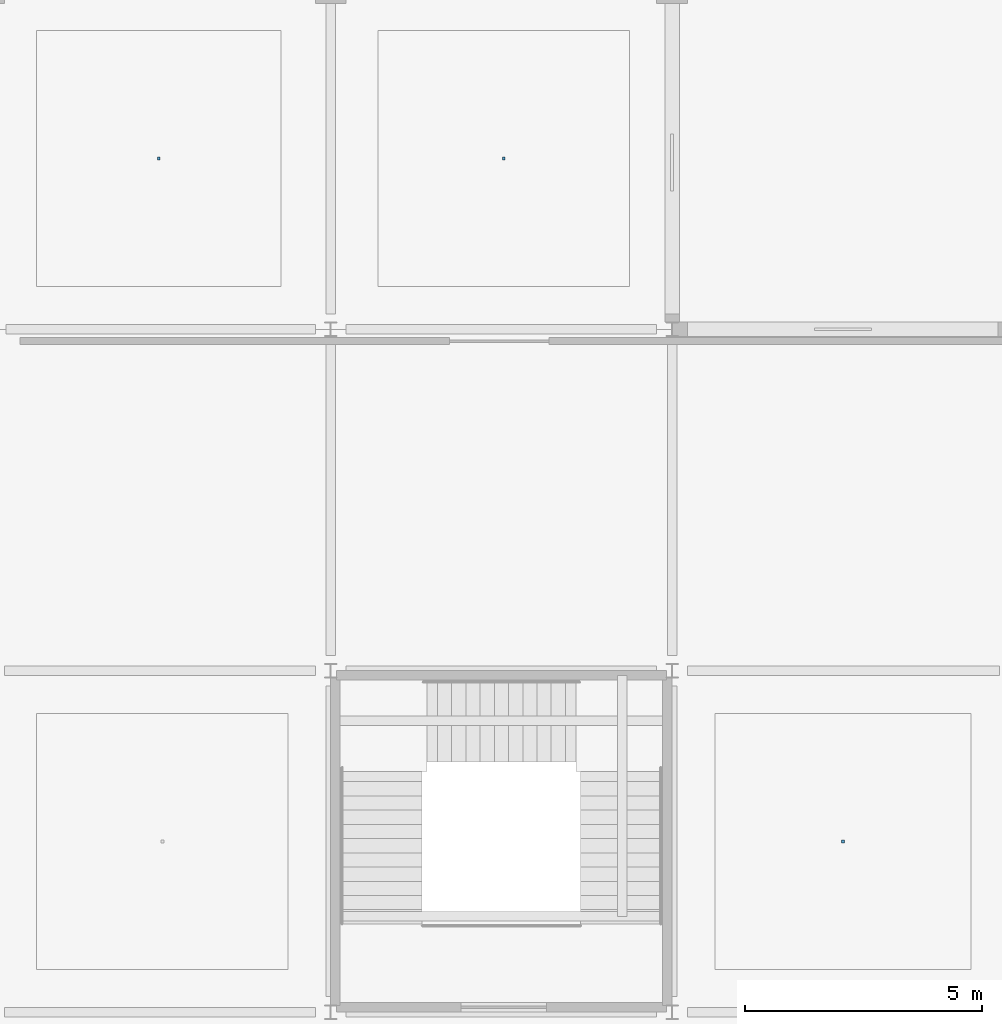
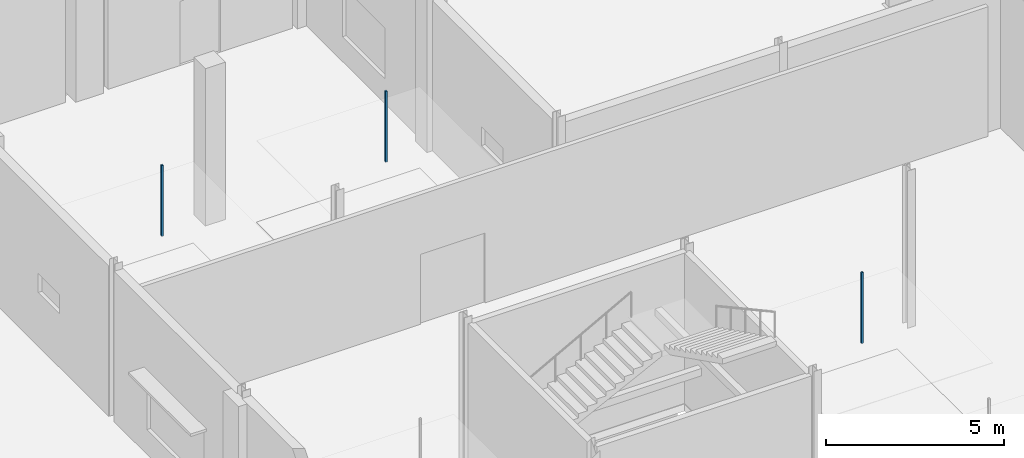
# One storey, part 70 of 90: 3 discrete accessories.
"""IFC4 building model written with IfcOpenShell, lengths in metres."""

import ifcopenshell
import ifcopenshell.guid

model = None  # the IFC model being written
_history = None  # IfcOwnerHistory: only IFC2X3 demands one
_inside = {}  # id of a spatial element -> (the spatial element, [elements in it])
_under = {}  # id of a project, library or spatial element -> (it, [spatial elements below it])
_declared = {}  # id of a project -> (the project, [libraries it declares])
_typed = {}  # id of a type object -> (the type object, [elements of that type])
_made_of = {}  # id of a material, layer set ... -> (it, [elements and type objects made of it])


def new_model(schema):
    """Start an empty IFC model of exactly this schema.

    Asked for "IFC4X3", IfcOpenShell would pick the latest addendum, in which some entities
    have other attributes; the version numbers below select the first issue.
    IFC2X3 requires an IfcOwnerHistory on every rooted entity: one is made here for all.
    """
    global model, _history
    if schema == "IFC4X3":
        model = ifcopenshell.file(schema_version=(4, 3, 0, 0))
    else:
        model = ifcopenshell.file(schema=schema)
    _inside.clear()
    _under.clear()
    _declared.clear()
    _typed.clear()
    _made_of.clear()
    _history = None
    if model.schema == "IFC2X3":
        org = make("IfcOrganization", Name="unknown")
        user = make(
            "IfcPersonAndOrganization",
            ThePerson=make("IfcPerson", FamilyName="unknown"),
            TheOrganization=org,
        )
        app = make(
            "IfcApplication",
            ApplicationDeveloper=org,
            Version="unknown",
            ApplicationFullName="unknown",
            ApplicationIdentifier="unknown",
        )
        _history = make(
            "IfcOwnerHistory",
            OwningUser=user,
            OwningApplication=app,
            ChangeAction="ADDED",
            CreationDate=0,
        )
    return model


def make(cls, **values):
    """One entity of the class cls with the attributes given. An attribute that is None is left unset."""
    return model.create_entity(
        cls, **{name: value for name, value in values.items() if value is not None}
    )


def rooted(cls, **values):
    """An entity with a GlobalId (a new one), such as an element, a storey or a relation."""
    return make(cls, GlobalId=ifcopenshell.guid.new(), OwnerHistory=_history, **values)


def si_unit(unit_type, name, prefix=None):
    """IfcSIUnit, for example si_unit("LENGTHUNIT", "METRE", prefix="MILLI")."""
    return make("IfcSIUnit", UnitType=unit_type, Prefix=prefix, Name=name)


def assignment(units):
    """IfcUnitAssignment: the units of a project."""
    return None if units is None else make("IfcUnitAssignment", Units=units)


def point(xyz):
    """IfcCartesianPoint."""
    return None if xyz is None else make("IfcCartesianPoint", Coordinates=xyz)


def direction(xyz):
    """IfcDirection."""
    return None if xyz is None else make("IfcDirection", DirectionRatios=xyz)


def frame(location, z_axis=None, x_axis=None):
    """IfcAxis2Placement3D, a coordinate frame: its origin and axes. An axis left out is left unset."""
    return make(
        "IfcAxis2Placement3D",
        Location=point(location),
        Axis=direction(z_axis),
        RefDirection=direction(x_axis),
    )


def frame_2d(location, x_axis=None):
    """IfcAxis2Placement2D, a coordinate frame in the plane: its origin and x axis."""
    return make(
        "IfcAxis2Placement2D", Location=point(location), RefDirection=direction(x_axis)
    )


def origin():
    """The frame at (0, 0, 0) with its axes left unset."""
    return frame((0.0, 0.0, 0.0))


def origin_2d():
    """The frame at (0, 0) in the plane with its x axis left unset."""
    return frame_2d((0.0, 0.0))


def place(relative_to, where):
    """IfcLocalPlacement: puts the frame where relative to a parent placement (None: the world)."""
    return make(
        "IfcLocalPlacement", PlacementRelTo=relative_to, RelativePlacement=where
    )


def context(
    kind, dimensions, precision=None, world=None, true_north=None, identifier=None
):
    """IfcGeometricRepresentationContext, for example the 3D "Model" context."""
    return make(
        "IfcGeometricRepresentationContext",
        ContextIdentifier=identifier,
        ContextType=kind,
        CoordinateSpaceDimension=dimensions,
        Precision=precision,
        WorldCoordinateSystem=world,
        TrueNorth=true_north,
    )


def subcontext(parent, identifier, kind, view, scale=None):
    """IfcGeometricRepresentationSubContext, for example "Body" below "Model"."""
    return make(
        "IfcGeometricRepresentationSubContext",
        ContextIdentifier=identifier,
        ContextType=kind,
        ParentContext=parent,
        TargetScale=scale,
        TargetView=view,
    )


def project(units=None, contexts=None):
    """IfcProject with its units and contexts."""
    return rooted(
        "IfcProject",
        Name="project",
        RepresentationContexts=contexts,
        UnitsInContext=assignment(units),
    )


def spatial(cls, under=None, at=None, **own):
    """A site, building, storey or space (cls), placed at a placement, below another one or the project."""
    s = rooted(cls, ObjectPlacement=at, **own)
    if under is not None:
        _under.setdefault(under.id(), (under, []))[1].append(s)
    return s


def profile(cls, at=None, kind="AREA", **sizes):
    """A parametric profile (cls). Its sizes go by their IFC names, for example OverallWidth=200.0."""
    return make(cls, ProfileType=kind, Position=at, **sizes)


def rectangle(**sizes):
    """IfcRectangleProfileDef."""
    return profile("IfcRectangleProfileDef", **sizes)


def extrude(swept, where, along, depth):
    """IfcExtrudedAreaSolid: the profile swept, set in the frame where, extruded along a direction by depth."""
    return make(
        "IfcExtrudedAreaSolid",
        SweptArea=swept,
        Position=where,
        ExtrudedDirection=direction(along),
        Depth=depth,
    )


def shape(context_of_items, identifier, shape_type, items):
    """IfcShapeRepresentation: the items that make up one representation, for example the "Body"."""
    return make(
        "IfcShapeRepresentation",
        ContextOfItems=context_of_items,
        RepresentationIdentifier=identifier,
        RepresentationType=shape_type,
        Items=items,
    )


def material(Name=None, Category=None):
    """IfcMaterial."""
    return make("IfcMaterial", Name=Name, Category=Category)


def made_of(thing, what):
    """Note that an element or type object is made of a material, layer set ...; save() writes the relation."""
    if what is not None:
        _made_of.setdefault(what.id(), (what, []))[1].append(thing)
    return thing


def type_object(cls, material=None, **own):
    """A type object (cls), such as IfcWallType, which elements share."""
    return made_of(rooted(cls, **own), material)


def element(
    cls,
    number,
    at=None,
    inside=None,
    cuts=None,
    type_object=None,
    material=None,
    context=None,
    identifier="Body",
    shape_type=None,
    held_by="IfcProductDefinitionShape",
    body=None,
    shapes=None,
    **own,
):
    """One element of the class cls, such as IfcWall. Its Tag is "e" and its number.

    at: its placement. inside: the storey or other place that contains it. cuts: it is an
    opening in that element (IfcRelVoidsElement). A single representation is given by context,
    identifier, shape_type and body (its items); several are given by shapes. held_by: the class
    of the entity that holds the representations. save() writes the other relations.
    """
    e = rooted(cls, Tag="e%d" % number, ObjectPlacement=at, **own)
    if body is not None:
        shapes = [shape(context, identifier, shape_type, body)]
    if shapes is not None:
        e.Representation = make(held_by, Representations=shapes)
    if inside is not None:
        _inside.setdefault(inside.id(), (inside, []))[1].append(e)
    if cuts is not None:
        rooted(
            "IfcRelVoidsElement", RelatingBuildingElement=cuts, RelatedOpeningElement=e
        )
    if type_object is not None:
        _typed.setdefault(type_object.id(), (type_object, []))[1].append(e)
    return made_of(e, material)


def aggregate(whole, parts):
    """IfcRelAggregates: a whole, such as a stair, and the parts it consists of."""
    return rooted("IfcRelAggregates", RelatingObject=whole, RelatedObjects=parts)


def save(model, path):
    """Write the relations noted so far, then the file.

    IfcRelAggregates (storeys below a building ...), IfcRelContainedInSpatialStructure (elements
    in a storey), IfcRelDefinesByType, IfcRelAssociatesMaterial and IfcRelDeclares: one each for
    every whole, place, type object, material and project.
    """
    for whole, parts in _under.values():
        aggregate(whole, parts)
    for where, things in _inside.values():
        rooted(
            "IfcRelContainedInSpatialStructure",
            RelatedElements=things,
            RelatingStructure=where,
        )
    for kind, things in _typed.values():
        rooted("IfcRelDefinesByType", RelatedObjects=things, RelatingType=kind)
    for what, things in _made_of.values():
        rooted("IfcRelAssociatesMaterial", RelatedObjects=things, RelatingMaterial=what)
    for by, libraries in _declared.values():
        rooted("IfcRelDeclares", RelatingContext=by, RelatedDefinitions=libraries)
    model.write(path)


model = new_model("IFC4")

# Units and contexts
model_context = context("Model", 3, precision=1e-05, world=origin(), true_north=direction((0.0, 1.0)))
body_context = subcontext(model_context, "Body", "Model", "MODEL_VIEW")
ifc_project = project(units=[si_unit("LENGTHUNIT", "METRE"), si_unit("AREAUNIT", "SQUARE_METRE"), si_unit("VOLUMEUNIT", "CUBIC_METRE"), si_unit("PLANEANGLEUNIT", "RADIAN"), si_unit("MASSUNIT", "GRAM", prefix="KILO")], contexts=[model_context])

# Site, building, storey
site_placement = place(None, origin())
site = spatial("IfcSite", under=ifc_project, at=site_placement, CompositionType="ELEMENT")
building_placement = place(site_placement, origin())
building = spatial("IfcBuilding", under=site, at=building_placement, Name="Kangsadwip Square Police Headquarters", CompositionType="ELEMENT")
storey_placement = place(building_placement, origin())
storey = spatial("IfcBuildingStorey", under=building, at=storey_placement, Name="L00", CompositionType="ELEMENT", Elevation=0.0)

# Discrete accessories
ifc_material = material(Name="Structural steel IS 2062 E350 (Grade 350, 350 MPa)", Category="steel")
discrete_accessory_type = type_object("IfcDiscreteAccessoryType", Name="VeilOutriggerBracket", PredefinedType="BRACKET", material=ifc_material)
for number, where, z_axis, x_axis, name in (
    (1, (18.0, 10.800048828125, 2.81005859375), (0.0, 0.0, 1.0), (1.0, 0.0, 0.0), "Ceiling Suspension Hanger L00-028"),
    (2, (3.574951171875, 25.199951171875, 2.81005859375), (0.0, 0.0, 1.0), (1.0, 0.0, 0.0), "Ceiling Suspension Hanger L00-029"),
    (3, (10.85009765625, 25.199951171875, 2.81005859375), (0.0, 0.0, 1.0), (1.0, 0.0, 0.0), "Ceiling Suspension Hanger L00-030"),
):
    element("IfcDiscreteAccessory", number, at=place(storey_placement, frame(where, z_axis=z_axis, x_axis=x_axis)), inside=storey, type_object=discrete_accessory_type, Name=name, PredefinedType="BRACKET", context=body_context, shape_type="SweptSolid", body=[
        extrude(rectangle(XDim=0.06005859375, YDim=0.06005859375, at=origin_2d()), origin(), (0.0, 0.0, 1.0), 2.429931640625),
    ])

save(model, "model.ifc")
